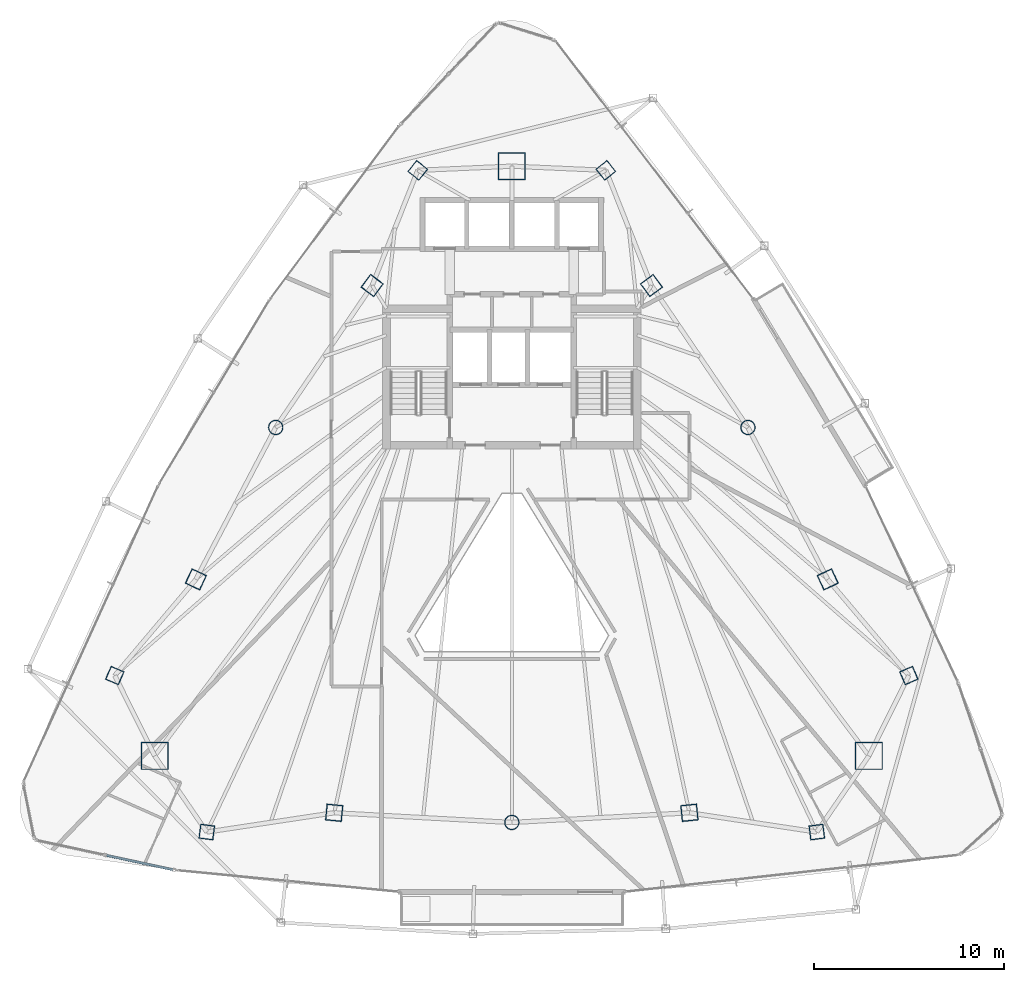
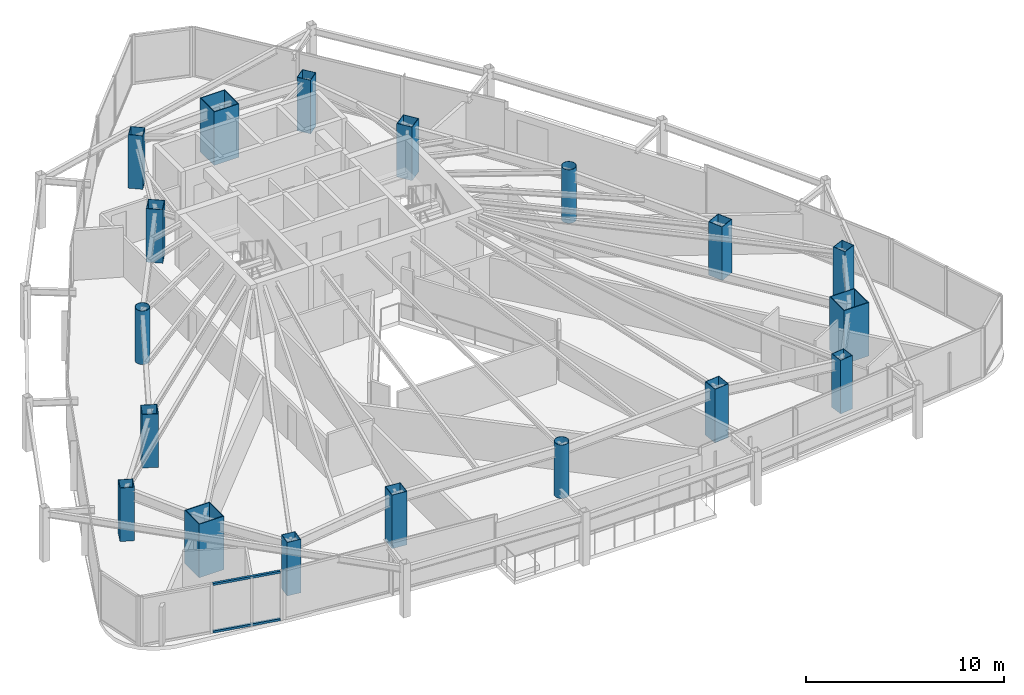
# One storey, part 1 of 31: 18 columns, 2 members, 1 element without a shape of its own.
"""IFC4 building model written with IfcOpenShell, lengths in metres."""

from ifc_helpers import new_model, si_unit, direction, frame, origin, origin_2d, place, context, subcontext, project, spatial, hollow_rectangle, hollow_circle, extrude, material, layer, layer_set, material_profile, profile_set, type_object, element, aggregate, save


model = new_model("IFC4")

# Units and contexts
model_context = context("Model", 3, precision=1e-05, world=origin(), true_north=direction((0.0, 1.0)))
body_context = subcontext(model_context, "Body", "Model", "MODEL_VIEW")
ifc_project = project(units=[si_unit("LENGTHUNIT", "METRE"), si_unit("AREAUNIT", "SQUARE_METRE"), si_unit("VOLUMEUNIT", "CUBIC_METRE"), si_unit("PLANEANGLEUNIT", "RADIAN"), si_unit("MASSUNIT", "GRAM", prefix="KILO")], contexts=[model_context])

# Site, building, storey
site_placement = place(None, origin())
site = spatial("IfcSite", under=ifc_project, at=site_placement, CompositionType="ELEMENT")
building_placement = place(site_placement, origin())
building = spatial("IfcBuilding", under=site, at=building_placement, Name="Orvanel Arch Residences", CompositionType="ELEMENT")
storey_placement = place(building_placement, frame((0.0, 0.0, 126.5)))
storey = spatial("IfcBuildingStorey", under=building, at=storey_placement, Name="L35", CompositionType="ELEMENT", Elevation=126.5)

# Columns
ifc_material_1 = material(Name="Structural steel AS/NZS 1163 C450L0 (Grade 450)", Category="steel")
ifc_material_profile_1 = material_profile(ifc_material_1, hollow_circle(Radius=0.381103515625, WallThickness=0.02197265625, at=origin_2d()), Name="CHS762x22")
ifc_profile_set_1 = profile_set([ifc_material_profile_1], Name="Structural steel AS/NZS 1163 C450L0 (Grade 450)")
column_type_1 = type_object("IfcColumnType", Name="CC-762", PredefinedType="COLUMN", material=ifc_profile_set_1)
for number, where, z_axis, x_axis, name in (
    (1, (20.569091796875, 27.64111328125, 0.0), (0.0, 0.0, 1.0), (1.0, 0.0, 0.0), "L35 High-Rise Tube Column 02"),
    (2, (33.0, 6.843994140625, 0.0), (0.0, 0.0, 1.0), (1.0, 0.0, 0.0), "L35 High-Rise Tube Column 05"),
    (3, (45.430908203125, 27.64111328125, 0.0), (0.0, 0.0, 1.0), (1.0, 0.0, 0.0), "L35 High-Rise Tube Column 08"),
):
    element("IfcColumn", number, at=place(storey_placement, frame(where, z_axis=z_axis, x_axis=x_axis)), inside=storey, type_object=column_type_1, Name=name, PredefinedType="COLUMN", context=body_context, shape_type="SweptSolid", body=[
        extrude(hollow_circle(Radius=0.381103515625, WallThickness=0.02197265625, at=origin_2d()), origin(), (0.0, 0.0, 1.0), 3.300048828125),
    ])
ifc_material_2 = material(Name="Structural steel AS/NZS 3678 Grade 450", Category="steel")
ifc_material_profile_2 = material_profile(ifc_material_2, hollow_rectangle(XDim=1.449951171875, YDim=1.449951171875, WallThickness=0.044921875, at=origin_2d()), Name="BOX1450x1450x45")
ifc_profile_set_2 = profile_set([ifc_material_profile_2], Name="Structural steel AS/NZS 3678 Grade 450")
column_type_2 = type_object("IfcColumnType", Name="MC-1450", PredefinedType="COLUMN", material=ifc_profile_set_2)
for number, where, z_axis, x_axis, name in (
    (4, (33.0, 41.39794921875, 0.0), (0.0, 0.0, 1.0), (1.0, 0.0, 0.0), "L35 Corner Mega-Column 1"),
    (5, (14.198974609375, 10.35107421875, 0.0), (0.0, 0.0, 1.0), (1.0, 0.0, 0.0), "L35 Corner Mega-Column 2"),
    (6, (51.801025390625, 10.35107421875, 0.0), (0.0, 0.0, 1.0), (1.0, 0.0, 0.0), "L35 Corner Mega-Column 3"),
):
    element("IfcColumn", number, at=place(storey_placement, frame(where, z_axis=z_axis, x_axis=x_axis)), inside=storey, type_object=column_type_2, Name=name, PredefinedType="COLUMN", context=body_context, shape_type="SweptSolid", body=[
        extrude(hollow_rectangle(XDim=1.449951171875, YDim=1.449951171875, WallThickness=0.044921875, at=origin_2d()), origin(), (0.0, 0.0, 1.0), 3.300048828125),
    ])
ifc_material_3 = material(Name="Structural steel AS/NZS 3678 Grade 350", Category="steel")
ifc_material_profile_3 = material_profile(ifc_material_3, hollow_rectangle(XDim=0.75, YDim=0.75, WallThickness=0.02490234375, at=origin_2d()), Name="BOX750x750x25")
ifc_profile_set_3 = profile_set([ifc_material_profile_3], Name="Structural steel AS/NZS 3678 Grade 350")
column_type_3 = type_object("IfcColumnType", Name="TC-750", PredefinedType="COLUMN", material=ifc_profile_set_3)
for number, where, z_axis, x_axis, name in (
    (7, (28.050048828125, 41.177978515625, 0.0), (0.0, 0.0, 1.0), (0.623879596709, 0.781520472419, 0.0), "L35 Mid-Rise Buttress Tube Column 01"),
    (8, (12.094970703125, 14.580078125, 0.0), (0.0, 0.0, 1.0), (0.397147890635, 0.917754625684, 0.0), "L35 Mid-Rise Buttress Tube Column 02"),
    (9, (16.94091796875, 6.339111328125, 0.0), (0.0, 0.0, 1.0), (-0.99189444259, 0.127064608601, 0.0), "L35 Mid-Rise Buttress Tube Column 03"),
    (10, (49.05908203125, 6.339111328125, 0.0), (0.0, 0.0, 1.0), (0.99189444259, 0.127064608601, 0.0), "L35 Mid-Rise Buttress Tube Column 04"),
    (11, (53.905029296875, 14.580078125, 0.0), (0.0, 0.0, 1.0), (-0.397147890635, 0.917754625684, 0.0), "L35 Mid-Rise Buttress Tube Column 05"),
    (12, (37.949951171875, 41.177978515625, 0.0), (0.0, 0.0, 1.0), (-0.623879596709, 0.781520472419, 0.0), "L35 Mid-Rise Buttress Tube Column 06"),
):
    element("IfcColumn", number, at=place(storey_placement, frame(where, z_axis=z_axis, x_axis=x_axis)), inside=storey, type_object=column_type_3, Name=name, PredefinedType="COLUMN", context=body_context, shape_type="SweptSolid", body=[
        extrude(hollow_rectangle(XDim=0.75, YDim=0.75, WallThickness=0.02490234375, at=origin_2d()), origin(), (0.0, 0.0, 1.0), 3.300048828125),
    ])
ifc_material_profile_4 = material_profile(ifc_material_3, hollow_rectangle(XDim=0.85009765625, YDim=0.85009765625, WallThickness=0.028076171875, at=origin_2d()), Name="BOX850x850x28")
ifc_profile_set_4 = profile_set([ifc_material_profile_4], Name="Structural steel AS/NZS 3678 Grade 350")
column_type_4 = type_object("IfcColumnType", Name="TC-850", PredefinedType="COLUMN", material=ifc_profile_set_4)
for number, where, z_axis, x_axis, name in (
    (13, (25.64794921875, 35.113037109375, 0.0), (0.0, 0.0, 1.0), (0.600420225326, 0.799684658487, 0.0), "L35 High-Rise Tube Column 01"),
    (14, (16.366943359375, 19.64208984375, 0.0), (0.0, 0.0, 1.0), (0.422618261741, 0.906307787037, 0.0), "L35 High-Rise Tube Column 03"),
    (15, (23.64892578125, 7.35498046875, 0.0), (0.0, 0.0, 1.0), (-0.994880708829, 0.101056297183, 0.0), "L35 High-Rise Tube Column 04"),
    (16, (42.35107421875, 7.35498046875, 0.0), (0.0, 0.0, 1.0), (0.994880708829, 0.101056297183, 0.0), "L35 High-Rise Tube Column 06"),
    (17, (49.633056640625, 19.64208984375, 0.0), (0.0, 0.0, 1.0), (-0.422618261741, 0.906307787037, 0.0), "L35 High-Rise Tube Column 07"),
    (18, (40.35205078125, 35.113037109375, 0.0), (0.0, 0.0, 1.0), (-0.600420225326, 0.799684658487, 0.0), "L35 High-Rise Tube Column 09"),
):
    element("IfcColumn", number, at=place(storey_placement, frame(where, z_axis=z_axis, x_axis=x_axis)), inside=storey, type_object=column_type_4, Name=name, PredefinedType="COLUMN", context=body_context, shape_type="SweptSolid", body=[
        extrude(hollow_rectangle(XDim=0.85009765625, YDim=0.85009765625, WallThickness=0.028076171875, at=origin_2d()), origin(), (0.0, 0.0, 1.0), 3.300048828125),
    ])

# Curtain wall, members
ifc_material_4 = material(Name="Bronze-anodised aluminium AA6063-T6", Category="aluminium")
ifc_layer = layer(ifc_material_4, 0.18994140625)
ifc_layer_set = layer_set([ifc_layer], Name="Bronze-anodised aluminium AA6063-T6")
curtain_wall_type = type_object("IfcCurtainWallType", Name="CW5-CRN-SYS", PredefinedType="NOTDEFINED", material=ifc_layer_set)
curtain_wall_placement = place(storey_placement, origin())
curtain_wall = element("IfcCurtainWall", 19, at=curtain_wall_placement, inside=storey, type_object=curtain_wall_type, Name="L35 CW5-CRN-SYS Unitised Curtain Wall", PredefinedType="NOTDEFINED")
ifc_material_profile_5 = material_profile(ifc_material_4, hollow_rectangle(XDim=0.1298828125, YDim=0.1298828125, WallThickness=0.00439453125, at=origin_2d()), Name="ALU130x130x4.5")
ifc_profile_set_5 = profile_set([ifc_material_profile_5], Name="Bronze-anodised aluminium AA6063-T6")
member_type = type_object("IfcMemberType", Name="TRN-130x130", PredefinedType="USERDEFINED", material=ifc_profile_set_5)
member_1_placement = place(storey_placement, frame((11.665771484375, 5.1123046875, 0.06494140625), z_axis=(0.977614530448, -0.210403968253, 0.0), x_axis=(0.210403968253, 0.977614530448, 0.0)))
member_1 = element("IfcMember", 20, at=member_1_placement, type_object=member_type, Name="CW-S5 transom 2.1", ObjectType="TRANSOM", PredefinedType="USERDEFINED", context=body_context, shape_type="SweptSolid", body=[
    extrude(hollow_rectangle(XDim=0.1298828125, YDim=0.1298828125, WallThickness=0.00439453125, at=origin_2d()), origin(), (0.0, 0.0, 1.0), 3.5634765625),
])
member_2_placement = place(storey_placement, frame((11.665771484375, 5.1123046875, 2.9951171875), z_axis=(0.977614530448, -0.210403968253, 0.0), x_axis=(0.210403968253, 0.977614530448, 0.0)))
member_2 = element("IfcMember", 21, at=member_2_placement, type_object=member_type, Name="CW-S5 transom 2.2", ObjectType="TRANSOM", PredefinedType="USERDEFINED", context=body_context, shape_type="SweptSolid", body=[
    extrude(hollow_rectangle(XDim=0.1298828125, YDim=0.1298828125, WallThickness=0.00439453125, at=origin_2d()), origin(), (0.0, 0.0, 1.0), 3.5634765625),
])
aggregate(curtain_wall, [member_1, member_2])

save(model, "model.ifc")
